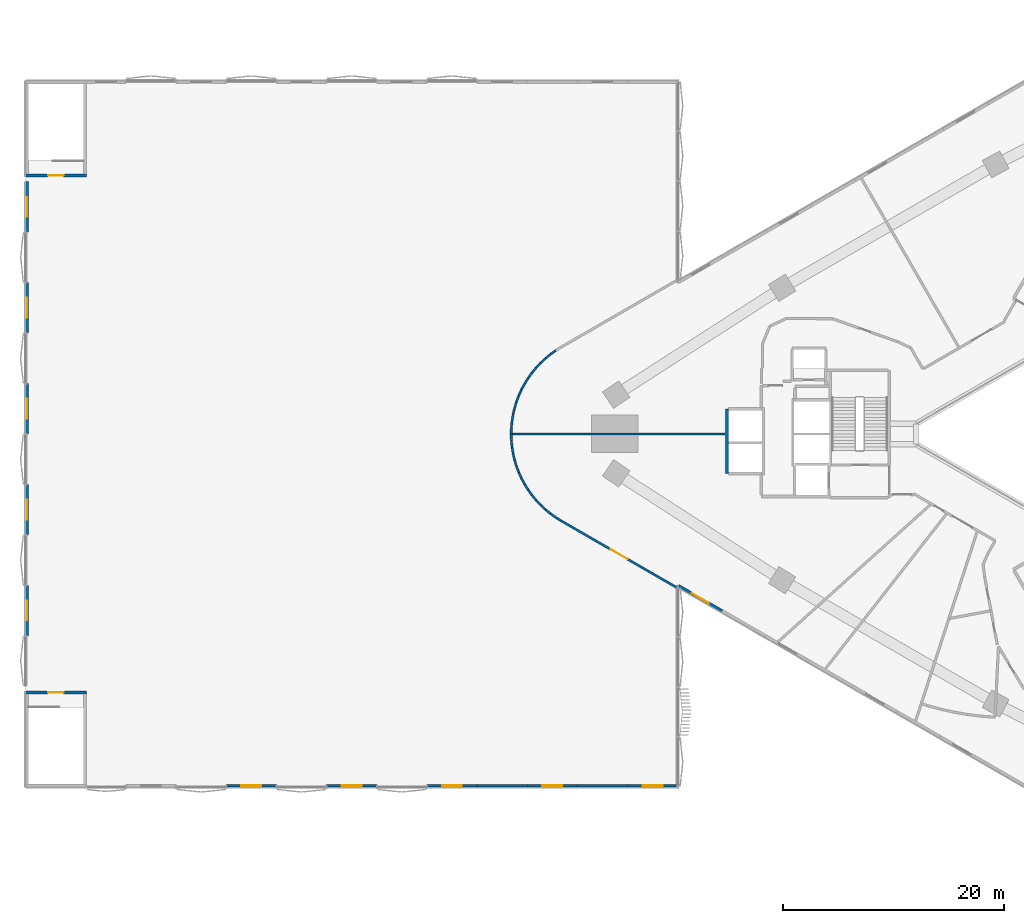
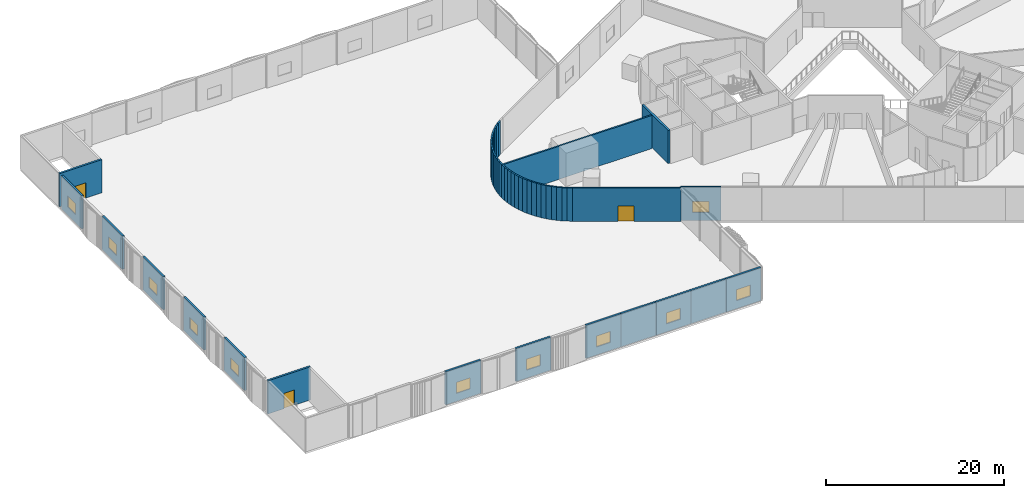
# One storey, part 11 of 24: 49 walls, 11 windows, 3 doors, 14 openings.
"""IFC4 building model written with IfcOpenShell, lengths in metres."""

from ifc_helpers import new_model, si_unit, direction, frame, frame_2d, origin, place, context, subcontext, project, spatial, rectangle, extrude, material, layer, layer_set, type_object, element, fill, save


model = new_model("IFC4")

# Units and contexts
model_context = context("Model", 3, precision=1e-05, world=origin(), true_north=direction((0.0, 1.0)))
body_context = subcontext(model_context, "Body", "Model", "MODEL_VIEW")
ifc_project = project(units=[si_unit("LENGTHUNIT", "METRE"), si_unit("AREAUNIT", "SQUARE_METRE"), si_unit("VOLUMEUNIT", "CUBIC_METRE"), si_unit("PLANEANGLEUNIT", "RADIAN"), si_unit("MASSUNIT", "GRAM", prefix="KILO")], contexts=[model_context])

# Site, building, storey
site_placement = place(None, origin())
site = spatial("IfcSite", under=ifc_project, at=site_placement, CompositionType="ELEMENT")
building_placement = place(site_placement, origin())
building = spatial("IfcBuilding", under=site, at=building_placement, Name="Tamra Quay Hotel Tower", CompositionType="ELEMENT")
storey_placement = place(building_placement, frame((0.0, 0.0, 19.5)))
storey = spatial("IfcBuildingStorey", under=building, at=storey_placement, Name="L03", CompositionType="ELEMENT", Elevation=19.5)

# Wall, opening, door
ifc_material_1 = material(Name="Concrete M70", Category="concrete")
ifc_layer_1 = layer(ifc_material_1, 0.199951171875)
ifc_layer_set_1 = layer_set([ifc_layer_1], Name="Concrete M70 core wall 200")
wall_type_1 = type_object("IfcWallType", Name="Concrete M70 core wall 200", PredefinedType="SHEAR", material=ifc_layer_set_1)
wall_1_placement = place(storey_placement, frame((-89.10009765625, 23.425048828125, 0.0), z_axis=(0.0, 0.0, 1.0), x_axis=(1.0, 0.0, 0.0)))
wall_1 = element("IfcWall", 1, at=wall_1_placement, inside=storey, type_object=wall_type_1, Name="CW2", PredefinedType="SHEAR", context=body_context, shape_type="SweptSolid", body=[
    extrude(rectangle(XDim=5.5, YDim=0.25, at=frame_2d((2.75, 0.0))), origin(), (0.0, 0.0, 1.0), 4.550048828125),
])
opening_1_placement = place(wall_1_placement, frame((2.050048828125, 0.0, 0.0)))
opening_1 = element("IfcOpeningElement", 2, at=opening_1_placement, cuts=wall_1, Name="Opening FD2", PredefinedType="OPENING", context=body_context, shape_type="SweptSolid", body=[
    extrude(rectangle(XDim=1.39990234375, YDim=2.10009765625, at=frame_2d((0.699951171875, 1.050048828125))), frame((0.0, 0.135009765625, 0.0), z_axis=(0.0, -1.0, 0.0), x_axis=(1.0, 0.0, 0.0)), (0.0, 0.0, 1.0), 0.27001953125),
])
ifc_material_2 = material(Name="Core door FD2 1400x2100 RH")
door_type_1 = type_object("IfcDoorType", Name="Core door FD2 1400x2100 RH", OperationType="NOTDEFINED", PredefinedType="DOOR", material=ifc_material_2)
door_1_placement = place(opening_1_placement, origin())
door_1 = element("IfcDoor", 3, at=door_1_placement, inside=storey, type_object=door_type_1, Name="FD2", OperationType="SINGLE_SWING_RIGHT", OverallHeight=2.10009765625, OverallWidth=1.39990234375, PredefinedType="DOOR", context=body_context, shape_type="SweptSolid", body=[
    extrude(rectangle(XDim=1.39990234375, YDim=2.10009765625, at=frame_2d((0.699951171875, 1.050048828125))), frame((0.0, 0.02490234375, 0.0), z_axis=(0.0, -1.0, 0.0), x_axis=(1.0, 0.0, 0.0)), (0.0, 0.0, 1.0), 0.050048828125),
])
fill(opening_1, door_1)

wall_2_placement = place(storey_placement, frame((-89.10009765625, -23.425048828125, 0.0), z_axis=(0.0, 0.0, 1.0), x_axis=(1.0, 0.0, 0.0)))
wall_2 = element("IfcWall", 4, at=wall_2_placement, inside=storey, type_object=wall_type_1, Name="CW2", PredefinedType="SHEAR", context=body_context, shape_type="SweptSolid", body=[
    extrude(rectangle(XDim=5.5, YDim=0.25, at=frame_2d((2.75, 0.0))), origin(), (0.0, 0.0, 1.0), 4.550048828125),
])
opening_2_placement = place(wall_2_placement, frame((2.050048828125, 0.0, 0.0)))
opening_2 = element("IfcOpeningElement", 5, at=opening_2_placement, cuts=wall_2, Name="Opening FD2", PredefinedType="OPENING", context=body_context, shape_type="SweptSolid", body=[
    extrude(rectangle(XDim=1.39990234375, YDim=2.10009765625, at=frame_2d((0.699951171875, 1.050048828125))), frame((0.0, 0.135009765625, 0.0), z_axis=(0.0, -1.0, 0.0), x_axis=(1.0, 0.0, 0.0)), (0.0, 0.0, 1.0), 0.27001953125),
])
ifc_material_3 = material(Name="Core door FD2 1400x2100 LH")
door_type_2 = type_object("IfcDoorType", Name="Core door FD2 1400x2100 LH", OperationType="NOTDEFINED", PredefinedType="DOOR", material=ifc_material_3)
door_2_placement = place(opening_2_placement, origin())
door_2 = element("IfcDoor", 6, at=door_2_placement, inside=storey, type_object=door_type_2, Name="FD2", OperationType="SINGLE_SWING_LEFT", OverallHeight=2.10009765625, OverallWidth=1.39990234375, PredefinedType="DOOR", context=body_context, shape_type="SweptSolid", body=[
    extrude(rectangle(XDim=1.39990234375, YDim=2.10009765625, at=frame_2d((0.699951171875, 1.050048828125))), frame((0.0, 0.02490234375, 0.0), z_axis=(0.0, -1.0, 0.0), x_axis=(1.0, 0.0, 0.0)), (0.0, 0.0, 1.0), 0.050048828125),
])
fill(opening_2, door_2)

# Wall
ifc_layer_2 = layer(ifc_material_1, 0.25)
ifc_layer_set_2 = layer_set([ifc_layer_2], Name="Concrete M70 core wall 250")
wall_type_2 = type_object("IfcWallType", Name="Concrete M70 core wall 250", PredefinedType="SHEAR", material=ifc_layer_set_2)
wall_3_placement = place(storey_placement, frame((-25.537353515625, -3.574951171875, 0.0), z_axis=(0.0, 0.0, 1.0), x_axis=(0.0, 1.0, 0.0)))
element("IfcWall", 7, at=wall_3_placement, inside=storey, type_object=wall_type_2, Name="CW1", PredefinedType="SHEAR", context=body_context, shape_type="SweptSolid", body=[
    extrude(rectangle(XDim=5.849853515625, YDim=0.25, at=frame_2d((2.9248046875, 0.0))), origin(), (0.0, 0.0, 1.0), 4.550048828125),
])

# Wall, opening, window
ifc_material_4 = material(Name="Blockwork masonry plastered", Category="masonry")
ifc_layer_3 = layer(ifc_material_4, 0.25)
ifc_layer_set_3 = layer_set([ifc_layer_3], Name="EXTERNAL WALL 250")
wall_type_3 = type_object("IfcWallType", Name="EXTERNAL WALL 250", PredefinedType="SOLIDWALL", material=ifc_layer_set_3)
wall_4_placement = place(storey_placement, frame((-25.98291015625, -16.03125, 0.0), z_axis=(0.0, 0.0, 1.0), x_axis=(-0.866023543838, 0.500003221507, 0.0)))
wall_4 = element("IfcWall", 8, at=wall_4_placement, inside=storey, type_object=wall_type_3, Name="EW1", PredefinedType="SOLIDWALL", context=body_context, shape_type="SweptSolid", body=[
    extrude(rectangle(XDim=4.56640625, YDim=0.25, at=frame_2d((2.283203125, 0.0))), origin(), (0.0, 0.0, 1.0), 4.550048828125),
])
opening_3_placement = place(wall_4_placement, frame((1.383056640625, 0.0, 1.10009765625)))
opening_3 = element("IfcOpeningElement", 9, at=opening_3_placement, cuts=wall_4, Name="Opening PW2", PredefinedType="OPENING", context=body_context, shape_type="SweptSolid", body=[
    extrude(rectangle(XDim=1.800048828125, YDim=1.5, at=frame_2d((0.89990234375, 0.75))), frame((0.0, 0.135009765625, 0.0), z_axis=(0.0, -1.0, 0.0), x_axis=(1.0, 0.0, 0.0)), (0.0, 0.0, 1.0), 0.27001953125),
])
ifc_material_5 = material(Name="Aluminium window with clear glass", Category="aluminium")
window_type = type_object("IfcWindowType", Name="PODIUM WINDOW 1800X1500", PartitioningType="DOUBLE_PANEL_VERTICAL", PredefinedType="WINDOW", material=ifc_material_5)
window_1_placement = place(opening_3_placement, origin())
window_1 = element("IfcWindow", 10, at=window_1_placement, inside=storey, type_object=window_type, Name="PW2", OverallHeight=1.5, OverallWidth=1.800048828125, PartitioningType="SINGLE_PANEL", PredefinedType="WINDOW", context=body_context, shape_type="SweptSolid", body=[
    extrude(rectangle(XDim=1.800048828125, YDim=1.5, at=frame_2d((0.89990234375, 0.75))), frame((0.0, 0.030029296875, 0.0), z_axis=(0.0, -1.0, 0.0), x_axis=(1.0, 0.0, 0.0)), (0.0, 0.0, 1.0), 0.06005859375),
])
fill(opening_3, window_1)

wall_5_placement = place(storey_placement, frame((-88.97509765625, 18.28564453125, 0.0), z_axis=(0.0, 0.0, 1.0), x_axis=(0.0, 1.0, 0.0)))
wall_5 = element("IfcWall", 11, at=wall_5_placement, inside=storey, type_object=wall_type_3, Name="EW1", PredefinedType="SOLIDWALL", context=body_context, shape_type="SweptSolid", body=[
    extrude(rectangle(XDim=4.571533203125, YDim=0.25, at=frame_2d((2.28564453125, 0.0))), origin(), (0.0, 0.0, 1.0), 4.550048828125),
])
opening_4_placement = place(wall_5_placement, frame((1.3857421875, 0.0, 1.10009765625)))
opening_4 = element("IfcOpeningElement", 12, at=opening_4_placement, cuts=wall_5, Name="Opening PW2", PredefinedType="OPENING", context=body_context, shape_type="SweptSolid", body=[
    extrude(rectangle(XDim=1.800048828125, YDim=1.5, at=frame_2d((0.89990234375, 0.75))), frame((0.0, 0.135009765625, 0.0), z_axis=(0.0, -1.0, 0.0), x_axis=(1.0, 0.0, 0.0)), (0.0, 0.0, 1.0), 0.27001953125),
])
window_2_placement = place(opening_4_placement, origin())
window_2 = element("IfcWindow", 13, at=window_2_placement, inside=storey, type_object=window_type, Name="PW2", OverallHeight=1.5, OverallWidth=1.800048828125, PartitioningType="SINGLE_PANEL", PredefinedType="WINDOW", context=body_context, shape_type="SweptSolid", body=[
    extrude(rectangle(XDim=1.800048828125, YDim=1.5, at=frame_2d((0.89990234375, 0.75))), frame((0.0, 0.030029296875, 0.0), z_axis=(0.0, -1.0, 0.0), x_axis=(1.0, 0.0, 0.0)), (0.0, 0.0, 1.0), 0.06005859375),
])
fill(opening_4, window_2)

wall_6_placement = place(storey_placement, frame((-88.97509765625, 9.142822265625, 0.0), z_axis=(0.0, 0.0, 1.0), x_axis=(0.0, 1.0, 0.0)))
wall_6 = element("IfcWall", 14, at=wall_6_placement, inside=storey, type_object=wall_type_3, Name="EW1", PredefinedType="SOLIDWALL", context=body_context, shape_type="SweptSolid", body=[
    extrude(rectangle(XDim=4.571533203125, YDim=0.25, at=frame_2d((2.28564453125, 0.0))), origin(), (0.0, 0.0, 1.0), 4.550048828125),
])
opening_5_placement = place(wall_6_placement, frame((1.3857421875, 0.0, 1.10009765625)))
opening_5 = element("IfcOpeningElement", 15, at=opening_5_placement, cuts=wall_6, Name="Opening PW2", PredefinedType="OPENING", context=body_context, shape_type="SweptSolid", body=[
    extrude(rectangle(XDim=1.800048828125, YDim=1.5, at=frame_2d((0.89990234375, 0.75))), frame((0.0, 0.135009765625, 0.0), z_axis=(0.0, -1.0, 0.0), x_axis=(1.0, 0.0, 0.0)), (0.0, 0.0, 1.0), 0.27001953125),
])
window_3_placement = place(opening_5_placement, origin())
window_3 = element("IfcWindow", 16, at=window_3_placement, inside=storey, type_object=window_type, Name="PW2", OverallHeight=1.5, OverallWidth=1.800048828125, PartitioningType="SINGLE_PANEL", PredefinedType="WINDOW", context=body_context, shape_type="SweptSolid", body=[
    extrude(rectangle(XDim=1.800048828125, YDim=1.5, at=frame_2d((0.89990234375, 0.75))), frame((0.0, 0.030029296875, 0.0), z_axis=(0.0, -1.0, 0.0), x_axis=(1.0, 0.0, 0.0)), (0.0, 0.0, 1.0), 0.06005859375),
])
fill(opening_5, window_3)

wall_7_placement = place(storey_placement, frame((-88.97509765625, 0.0, 0.0), z_axis=(0.0, 0.0, 1.0), x_axis=(0.0, 1.0, 0.0)))
wall_7 = element("IfcWall", 17, at=wall_7_placement, inside=storey, type_object=wall_type_3, Name="EW1", PredefinedType="SOLIDWALL", context=body_context, shape_type="SweptSolid", body=[
    extrude(rectangle(XDim=4.571533203125, YDim=0.25, at=frame_2d((2.28564453125, 0.0))), origin(), (0.0, 0.0, 1.0), 4.550048828125),
])
opening_6_placement = place(wall_7_placement, frame((1.3857421875, 0.0, 1.10009765625)))
opening_6 = element("IfcOpeningElement", 18, at=opening_6_placement, cuts=wall_7, Name="Opening PW2", PredefinedType="OPENING", context=body_context, shape_type="SweptSolid", body=[
    extrude(rectangle(XDim=1.800048828125, YDim=1.5, at=frame_2d((0.89990234375, 0.75))), frame((0.0, 0.135009765625, 0.0), z_axis=(0.0, -1.0, 0.0), x_axis=(1.0, 0.0, 0.0)), (0.0, 0.0, 1.0), 0.27001953125),
])
window_4_placement = place(opening_6_placement, origin())
window_4 = element("IfcWindow", 19, at=window_4_placement, inside=storey, type_object=window_type, Name="PW2", OverallHeight=1.5, OverallWidth=1.800048828125, PartitioningType="SINGLE_PANEL", PredefinedType="WINDOW", context=body_context, shape_type="SweptSolid", body=[
    extrude(rectangle(XDim=1.800048828125, YDim=1.5, at=frame_2d((0.89990234375, 0.75))), frame((0.0, 0.030029296875, 0.0), z_axis=(0.0, -1.0, 0.0), x_axis=(1.0, 0.0, 0.0)), (0.0, 0.0, 1.0), 0.06005859375),
])
fill(opening_6, window_4)

wall_8_placement = place(storey_placement, frame((-88.97509765625, -9.142822265625, 0.0), z_axis=(0.0, 0.0, 1.0), x_axis=(0.0, 1.0, 0.0)))
wall_8 = element("IfcWall", 20, at=wall_8_placement, inside=storey, type_object=wall_type_3, Name="EW1", PredefinedType="SOLIDWALL", context=body_context, shape_type="SweptSolid", body=[
    extrude(rectangle(XDim=4.5712890625, YDim=0.25, at=frame_2d((2.28564453125, 0.0))), origin(), (0.0, 0.0, 1.0), 4.550048828125),
])
opening_7_placement = place(wall_8_placement, frame((1.3857421875, 0.0, 1.10009765625)))
opening_7 = element("IfcOpeningElement", 21, at=opening_7_placement, cuts=wall_8, Name="Opening PW2", PredefinedType="OPENING", context=body_context, shape_type="SweptSolid", body=[
    extrude(rectangle(XDim=1.800048828125, YDim=1.5, at=frame_2d((0.89990234375, 0.75))), frame((0.0, 0.135009765625, 0.0), z_axis=(0.0, -1.0, 0.0), x_axis=(1.0, 0.0, 0.0)), (0.0, 0.0, 1.0), 0.27001953125),
])
window_5_placement = place(opening_7_placement, origin())
window_5 = element("IfcWindow", 22, at=window_5_placement, inside=storey, type_object=window_type, Name="PW2", OverallHeight=1.5, OverallWidth=1.800048828125, PartitioningType="SINGLE_PANEL", PredefinedType="WINDOW", context=body_context, shape_type="SweptSolid", body=[
    extrude(rectangle(XDim=1.800048828125, YDim=1.5, at=frame_2d((0.89990234375, 0.75))), frame((0.0, 0.030029296875, 0.0), z_axis=(0.0, -1.0, 0.0), x_axis=(1.0, 0.0, 0.0)), (0.0, 0.0, 1.0), 0.06005859375),
])
fill(opening_7, window_5)

wall_9_placement = place(storey_placement, frame((-88.97509765625, -18.28564453125, 0.0), z_axis=(0.0, 0.0, 1.0), x_axis=(0.0, 1.0, 0.0)))
wall_9 = element("IfcWall", 23, at=wall_9_placement, inside=storey, type_object=wall_type_3, Name="EW1", PredefinedType="SOLIDWALL", context=body_context, shape_type="SweptSolid", body=[
    extrude(rectangle(XDim=4.5712890625, YDim=0.25, at=frame_2d((2.28564453125, 0.0))), origin(), (0.0, 0.0, 1.0), 4.550048828125),
])
opening_8_placement = place(wall_9_placement, frame((1.3857421875, 0.0, 1.10009765625)))
opening_8 = element("IfcOpeningElement", 24, at=opening_8_placement, cuts=wall_9, Name="Opening PW2", PredefinedType="OPENING", context=body_context, shape_type="SweptSolid", body=[
    extrude(rectangle(XDim=1.800048828125, YDim=1.5, at=frame_2d((0.89990234375, 0.75))), frame((0.0, 0.135009765625, 0.0), z_axis=(0.0, -1.0, 0.0), x_axis=(1.0, 0.0, 0.0)), (0.0, 0.0, 1.0), 0.27001953125),
])
window_6_placement = place(opening_8_placement, origin())
window_6 = element("IfcWindow", 25, at=window_6_placement, inside=storey, type_object=window_type, Name="PW2", OverallHeight=1.5, OverallWidth=1.800048828125, PartitioningType="SINGLE_PANEL", PredefinedType="WINDOW", context=body_context, shape_type="SweptSolid", body=[
    extrude(rectangle(XDim=1.800048828125, YDim=1.5, at=frame_2d((0.89990234375, 0.75))), frame((0.0, 0.030029296875, 0.0), z_axis=(0.0, -1.0, 0.0), x_axis=(1.0, 0.0, 0.0)), (0.0, 0.0, 1.0), 0.06005859375),
])
fill(opening_8, window_6)

wall_10_placement = place(storey_placement, frame((-66.369140625, -31.875, 0.0), z_axis=(0.0, 0.0, 1.0), x_axis=(-1.0, 0.0, 0.0)))
wall_10 = element("IfcWall", 26, at=wall_10_placement, inside=storey, type_object=wall_type_3, Name="EW1", PredefinedType="SOLIDWALL", context=body_context, shape_type="SweptSolid", body=[
    extrude(rectangle(XDim=4.546142578125, YDim=0.25, at=frame_2d((2.27294921875, 0.0))), origin(), (0.0, 0.0, 1.0), 4.550048828125),
])
opening_9_placement = place(wall_10_placement, frame((1.373046875, 0.0, 1.10009765625)))
opening_9 = element("IfcOpeningElement", 27, at=opening_9_placement, cuts=wall_10, Name="Opening PW2", PredefinedType="OPENING", context=body_context, shape_type="SweptSolid", body=[
    extrude(rectangle(XDim=1.800048828125, YDim=1.5, at=frame_2d((0.89990234375, 0.75))), frame((0.0, 0.135009765625, 0.0), z_axis=(0.0, -1.0, 0.0), x_axis=(1.0, 0.0, 0.0)), (0.0, 0.0, 1.0), 0.27001953125),
])
window_7_placement = place(opening_9_placement, origin())
window_7 = element("IfcWindow", 28, at=window_7_placement, inside=storey, type_object=window_type, Name="PW2", OverallHeight=1.5, OverallWidth=1.800048828125, PartitioningType="SINGLE_PANEL", PredefinedType="WINDOW", context=body_context, shape_type="SweptSolid", body=[
    extrude(rectangle(XDim=1.800048828125, YDim=1.5, at=frame_2d((0.89990234375, 0.75))), frame((0.0, 0.030029296875, 0.0), z_axis=(0.0, -1.0, 0.0), x_axis=(1.0, 0.0, 0.0)), (0.0, 0.0, 1.0), 0.06005859375),
])
fill(opening_9, window_7)

wall_11_placement = place(storey_placement, frame((-57.27685546875, -31.875, 0.0), z_axis=(0.0, 0.0, 1.0), x_axis=(-1.0, 0.0, 0.0)))
wall_11 = element("IfcWall", 29, at=wall_11_placement, inside=storey, type_object=wall_type_3, Name="EW1", PredefinedType="SOLIDWALL", context=body_context, shape_type="SweptSolid", body=[
    extrude(rectangle(XDim=4.546142578125, YDim=0.25, at=frame_2d((2.27294921875, 0.0))), origin(), (0.0, 0.0, 1.0), 4.550048828125),
])
opening_10_placement = place(wall_11_placement, frame((1.373046875, 0.0, 1.10009765625)))
opening_10 = element("IfcOpeningElement", 30, at=opening_10_placement, cuts=wall_11, Name="Opening PW2", PredefinedType="OPENING", context=body_context, shape_type="SweptSolid", body=[
    extrude(rectangle(XDim=1.800048828125, YDim=1.5, at=frame_2d((0.89990234375, 0.75))), frame((0.0, 0.135009765625, 0.0), z_axis=(0.0, -1.0, 0.0), x_axis=(1.0, 0.0, 0.0)), (0.0, 0.0, 1.0), 0.27001953125),
])
window_8_placement = place(opening_10_placement, origin())
window_8 = element("IfcWindow", 31, at=window_8_placement, inside=storey, type_object=window_type, Name="PW2", OverallHeight=1.5, OverallWidth=1.800048828125, PartitioningType="SINGLE_PANEL", PredefinedType="WINDOW", context=body_context, shape_type="SweptSolid", body=[
    extrude(rectangle(XDim=1.800048828125, YDim=1.5, at=frame_2d((0.89990234375, 0.75))), frame((0.0, 0.030029296875, 0.0), z_axis=(0.0, -1.0, 0.0), x_axis=(1.0, 0.0, 0.0)), (0.0, 0.0, 1.0), 0.06005859375),
])
fill(opening_10, window_8)

wall_12_placement = place(storey_placement, frame((-48.1845703125, -31.875, 0.0), z_axis=(0.0, 0.0, 1.0), x_axis=(-1.0, 0.0, 0.0)))
wall_12 = element("IfcWall", 32, at=wall_12_placement, inside=storey, type_object=wall_type_3, Name="EW1", PredefinedType="SOLIDWALL", context=body_context, shape_type="SweptSolid", body=[
    extrude(rectangle(XDim=4.546142578125, YDim=0.25, at=frame_2d((2.27294921875, 0.0))), origin(), (0.0, 0.0, 1.0), 4.550048828125),
])
opening_11_placement = place(wall_12_placement, frame((1.373046875, 0.0, 1.10009765625)))
opening_11 = element("IfcOpeningElement", 33, at=opening_11_placement, cuts=wall_12, Name="Opening PW2", PredefinedType="OPENING", context=body_context, shape_type="SweptSolid", body=[
    extrude(rectangle(XDim=1.800048828125, YDim=1.5, at=frame_2d((0.89990234375, 0.75))), frame((0.0, 0.135009765625, 0.0), z_axis=(0.0, -1.0, 0.0), x_axis=(1.0, 0.0, 0.0)), (0.0, 0.0, 1.0), 0.27001953125),
])
window_9_placement = place(opening_11_placement, origin())
window_9 = element("IfcWindow", 34, at=window_9_placement, inside=storey, type_object=window_type, Name="PW2", OverallHeight=1.5, OverallWidth=1.800048828125, PartitioningType="SINGLE_PANEL", PredefinedType="WINDOW", context=body_context, shape_type="SweptSolid", body=[
    extrude(rectangle(XDim=1.800048828125, YDim=1.5, at=frame_2d((0.89990234375, 0.75))), frame((0.0, 0.030029296875, 0.0), z_axis=(0.0, -1.0, 0.0), x_axis=(1.0, 0.0, 0.0)), (0.0, 0.0, 1.0), 0.06005859375),
])
fill(opening_11, window_9)

# Wall
wall_13_placement = place(storey_placement, frame((-43.638427734375, -31.875, 0.0), z_axis=(0.0, 0.0, 1.0), x_axis=(-1.0, 0.0, 0.0)))
element("IfcWall", 35, at=wall_13_placement, inside=storey, type_object=wall_type_3, Name="EW1", PredefinedType="SOLIDWALL", context=body_context, shape_type="SweptSolid", body=[
    extrude(rectangle(XDim=4.546142578125, YDim=0.25, at=frame_2d((2.27294921875, 0.0))), origin(), (0.0, 0.0, 1.0), 4.550048828125),
])

# Wall, opening, window
wall_14_placement = place(storey_placement, frame((-39.09228515625, -31.875, 0.0), z_axis=(0.0, 0.0, 1.0), x_axis=(-1.0, 0.0, 0.0)))
wall_14 = element("IfcWall", 36, at=wall_14_placement, inside=storey, type_object=wall_type_3, Name="EW1", PredefinedType="SOLIDWALL", context=body_context, shape_type="SweptSolid", body=[
    extrude(rectangle(XDim=4.546142578125, YDim=0.25, at=frame_2d((2.27294921875, 0.0))), origin(), (0.0, 0.0, 1.0), 4.550048828125),
])
opening_12_placement = place(wall_14_placement, frame((1.373046875, 0.0, 1.10009765625)))
opening_12 = element("IfcOpeningElement", 37, at=opening_12_placement, cuts=wall_14, Name="Opening PW2", PredefinedType="OPENING", context=body_context, shape_type="SweptSolid", body=[
    extrude(rectangle(XDim=1.800048828125, YDim=1.5, at=frame_2d((0.89990234375, 0.75))), frame((0.0, 0.135009765625, 0.0), z_axis=(0.0, -1.0, 0.0), x_axis=(1.0, 0.0, 0.0)), (0.0, 0.0, 1.0), 0.27001953125),
])
window_10_placement = place(opening_12_placement, origin())
window_10 = element("IfcWindow", 38, at=window_10_placement, inside=storey, type_object=window_type, Name="PW2", OverallHeight=1.5, OverallWidth=1.800048828125, PartitioningType="SINGLE_PANEL", PredefinedType="WINDOW", context=body_context, shape_type="SweptSolid", body=[
    extrude(rectangle(XDim=1.800048828125, YDim=1.5, at=frame_2d((0.89990234375, 0.75))), frame((0.0, 0.030029296875, 0.0), z_axis=(0.0, -1.0, 0.0), x_axis=(1.0, 0.0, 0.0)), (0.0, 0.0, 1.0), 0.06005859375),
])
fill(opening_12, window_10)

# Wall
wall_15_placement = place(storey_placement, frame((-34.546142578125, -31.875, 0.0), z_axis=(0.0, 0.0, 1.0), x_axis=(-1.0, 0.0, 0.0)))
element("IfcWall", 39, at=wall_15_placement, inside=storey, type_object=wall_type_3, Name="EW1", PredefinedType="SOLIDWALL", context=body_context, shape_type="SweptSolid", body=[
    extrude(rectangle(XDim=4.546142578125, YDim=0.25, at=frame_2d((2.27294921875, 0.0))), origin(), (0.0, 0.0, 1.0), 4.550048828125),
])

# Wall, opening, window
wall_16_placement = place(storey_placement, frame((-30.0, -31.875, 0.0), z_axis=(0.0, 0.0, 1.0), x_axis=(-1.0, 0.0, 0.0)))
wall_16 = element("IfcWall", 40, at=wall_16_placement, inside=storey, type_object=wall_type_3, Name="EW1", PredefinedType="SOLIDWALL", context=body_context, shape_type="SweptSolid", body=[
    extrude(rectangle(XDim=4.546142578125, YDim=0.25, at=frame_2d((2.27294921875, 0.0))), origin(), (0.0, 0.0, 1.0), 4.550048828125),
])
opening_13_placement = place(wall_16_placement, frame((1.373046875, 0.0, 1.10009765625)))
opening_13 = element("IfcOpeningElement", 41, at=opening_13_placement, cuts=wall_16, Name="Opening PW2", PredefinedType="OPENING", context=body_context, shape_type="SweptSolid", body=[
    extrude(rectangle(XDim=1.800048828125, YDim=1.5, at=frame_2d((0.89990234375, 0.75))), frame((0.0, 0.135009765625, 0.0), z_axis=(0.0, -1.0, 0.0), x_axis=(1.0, 0.0, 0.0)), (0.0, 0.0, 1.0), 0.27001953125),
])
window_11_placement = place(opening_13_placement, origin())
window_11 = element("IfcWindow", 42, at=window_11_placement, inside=storey, type_object=window_type, Name="PW2", OverallHeight=1.5, OverallWidth=1.800048828125, PartitioningType="SINGLE_PANEL", PredefinedType="WINDOW", context=body_context, shape_type="SweptSolid", body=[
    extrude(rectangle(XDim=1.800048828125, YDim=1.5, at=frame_2d((0.89990234375, 0.75))), frame((0.0, 0.030029296875, 0.0), z_axis=(0.0, -1.0, 0.0), x_axis=(1.0, 0.0, 0.0)), (0.0, 0.0, 1.0), 0.06005859375),
])
fill(opening_13, window_11)

# Walls
ifc_material_6 = material(Name="Partition party wall")
ifc_layer_4 = layer(ifc_material_6, 0.199951171875)
ifc_layer_set_4 = layer_set([ifc_layer_4], Name="Partition party wall")
wall_type_4 = type_object("IfcWallType", Name="Partition party wall", PredefinedType="PARTITIONING", material=ifc_layer_set_4)
for number, where, z_axis, x_axis, name in (
    (43, (-45.10009765625, 0.0, 0.0), (0.0, 0.0, 1.0), (0.031990183948, 0.999488183087, 0.0), "W-P"),
    (44, (-45.10009765625, 0.0, 0.0), (0.0, 0.0, 1.0), (0.031990183948, -0.999488183087, 0.0), "W-P"),
):
    element("IfcWall", number, at=place(storey_placement, frame(where, z_axis=z_axis, x_axis=x_axis)), inside=storey, type_object=wall_type_4, Name=name, PredefinedType="PARTITIONING", context=body_context, shape_type="SweptSolid", body=[
        extrude(rectangle(XDim=0.59521484375, YDim=0.199951171875, at=frame_2d((0.297607421875, 0.0))), origin(), (0.0, 0.0, 1.0), 4.550048828125),
    ])
wall_17_placement = place(storey_placement, frame((-45.097900390625, 0.0, 0.0), z_axis=(0.0, 0.0, 1.0), x_axis=(1.0, 0.0, 0.0)))
element("IfcWall", 45, at=wall_17_placement, inside=storey, type_object=wall_type_4, Name="W-P", PredefinedType="PARTITIONING", context=body_context, shape_type="SweptSolid", body=[
    extrude(rectangle(XDim=19.375732421875, YDim=0.199951171875, at=frame_2d((9.68798828125, 0.0))), origin(), (0.0, 0.0, 1.0), 4.550048828125),
])
for number, where, z_axis, x_axis, name in (
    (46, (-45.0810546875, -0.594970703125, 0.0), (0.0, 0.0, 1.0), (0.09913866528, -0.995073627952, 0.0), "W-P"),
    (47, (-45.0810546875, 0.594970703125, 0.0), (0.0, 0.0, 1.0), (0.09913866528, 0.995073627952, 0.0), "W-P"),
):
    element("IfcWall", number, at=place(storey_placement, frame(where, z_axis=z_axis, x_axis=x_axis)), inside=storey, type_object=wall_type_4, Name=name, PredefinedType="PARTITIONING", context=body_context, shape_type="SweptSolid", body=[
        extrude(rectangle(XDim=0.595947265625, YDim=0.199951171875, at=frame_2d((0.2978515625, 0.0))), origin(), (0.0, 0.0, 1.0), 4.550048828125),
    ])
for number, where, z_axis, x_axis, name in (
    (48, (-45.02197265625, -1.18798828125, 0.0), (0.0, 0.0, 1.0), (0.162934624121, -0.986636867476, 0.0), "W-P"),
    (49, (-45.02197265625, 1.18798828125, 0.0), (0.0, 0.0, 1.0), (0.162934624121, 0.986636867476, 0.0), "W-P"),
):
    element("IfcWall", number, at=place(storey_placement, frame(where, z_axis=z_axis, x_axis=x_axis)), inside=storey, type_object=wall_type_4, Name=name, PredefinedType="PARTITIONING", context=body_context, shape_type="SweptSolid", body=[
        extrude(rectangle(XDim=0.594970703125, YDim=0.199951171875, at=frame_2d((0.29736328125, 0.0))), origin(), (0.0, 0.0, 1.0), 4.550048828125),
    ])
for number, where, z_axis, x_axis, name in (
    (50, (-44.925048828125, -1.77490234375, 0.0), (0.0, 0.0, 1.0), (0.226685324895, -0.973968050542, 0.0), "W-P"),
    (51, (-44.925048828125, 1.77490234375, 0.0), (0.0, 0.0, 1.0), (0.226685324895, 0.973968050542, 0.0), "W-P"),
    (52, (-44.7900390625, -2.35498046875, 0.0), (0.0, 0.0, 1.0), (0.290541905156, -0.956862268745, 0.0), "W-P"),
    (53, (-44.7900390625, 2.35498046875, 0.0), (0.0, 0.0, 1.0), (0.290541905156, 0.956862268745, 0.0), "W-P"),
):
    element("IfcWall", number, at=place(storey_placement, frame(where, z_axis=z_axis, x_axis=x_axis)), inside=storey, type_object=wall_type_4, Name=name, PredefinedType="PARTITIONING", context=body_context, shape_type="SweptSolid", body=[
        extrude(rectangle(XDim=0.595703125, YDim=0.199951171875, at=frame_2d((0.2978515625, 0.0))), origin(), (0.0, 0.0, 1.0), 4.550048828125),
    ])
for number, where, z_axis, x_axis, name in (
    (54, (-44.616943359375, -2.925048828125, 0.0), (0.0, 0.0, 1.0), (0.352786231365, -0.935703946213, 0.0), "W-P"),
    (55, (-44.616943359375, 2.925048828125, 0.0), (0.0, 0.0, 1.0), (0.352786231365, 0.935703946213, 0.0), "W-P"),
):
    element("IfcWall", number, at=place(storey_placement, frame(where, z_axis=z_axis, x_axis=x_axis)), inside=storey, type_object=wall_type_4, Name=name, PredefinedType="PARTITIONING", context=body_context, shape_type="SweptSolid", body=[
        extrude(rectangle(XDim=0.59521484375, YDim=0.199951171875, at=frame_2d((0.297607421875, 0.0))), origin(), (0.0, 0.0, 1.0), 4.550048828125),
    ])
for number, where, z_axis, x_axis, name in (
    (56, (-44.406982421875, -3.48193359375, 0.0), (0.0, 0.0, 1.0), (0.41111443173, -0.911583744932, 0.0), "W-P"),
    (57, (-44.406982421875, 3.48193359375, 0.0), (0.0, 0.0, 1.0), (0.41111443173, 0.911583744932, 0.0), "W-P"),
    (58, (-44.162109375, -4.02490234375, 0.0), (0.0, 0.0, 1.0), (0.471800485124, -0.881705337534, 0.0), "W-P"),
    (59, (-44.162109375, 4.02490234375, 0.0), (0.0, 0.0, 1.0), (0.471800485124, 0.881705337534, 0.0), "W-P"),
):
    element("IfcWall", number, at=place(storey_placement, frame(where, z_axis=z_axis, x_axis=x_axis)), inside=storey, type_object=wall_type_4, Name=name, PredefinedType="PARTITIONING", context=body_context, shape_type="SweptSolid", body=[
        extrude(rectangle(XDim=0.595703125, YDim=0.199951171875, at=frame_2d((0.2978515625, 0.0))), origin(), (0.0, 0.0, 1.0), 4.550048828125),
    ])
for number, where, z_axis, x_axis, name in (
    (60, (-43.881103515625, -4.550048828125, 0.0), (0.0, 0.0, 1.0), (0.528820193884, -0.848733882051, 0.0), "W-P"),
    (61, (-43.881103515625, 4.550048828125, 0.0), (0.0, 0.0, 1.0), (0.528820193884, 0.848733882051, 0.0), "W-P"),
):
    element("IfcWall", number, at=place(storey_placement, frame(where, z_axis=z_axis, x_axis=x_axis)), inside=storey, type_object=wall_type_4, Name=name, PredefinedType="PARTITIONING", context=body_context, shape_type="SweptSolid", body=[
        extrude(rectangle(XDim=0.595947265625, YDim=0.199951171875, at=frame_2d((0.2978515625, 0.0))), origin(), (0.0, 0.0, 1.0), 4.550048828125),
    ])
for number, where, z_axis, x_axis, name in (
    (62, (-43.56591796875, -5.055908203125, 0.0), (0.0, 0.0, 1.0), (0.581393431344, -0.813622564824, 0.0), "W-P"),
    (63, (-43.56591796875, 5.055908203125, 0.0), (0.0, 0.0, 1.0), (0.581393431344, 0.813622564824, 0.0), "W-P"),
):
    element("IfcWall", number, at=place(storey_placement, frame(where, z_axis=z_axis, x_axis=x_axis)), inside=storey, type_object=wall_type_4, Name=name, PredefinedType="PARTITIONING", context=body_context, shape_type="SweptSolid", body=[
        extrude(rectangle(XDim=0.594970703125, YDim=0.199951171875, at=frame_2d((0.29736328125, 0.0))), origin(), (0.0, 0.0, 1.0), 4.550048828125),
    ])
for number, where, z_axis, x_axis, name in (
    (64, (-43.219970703125, -5.5400390625, 0.0), (0.0, 0.0, 1.0), (0.634844364708, -0.772640040768, 0.0), "W-P"),
    (65, (-43.219970703125, 5.5400390625, 0.0), (0.0, 0.0, 1.0), (0.634844364708, 0.772640040768, 0.0), "W-P"),
):
    element("IfcWall", number, at=place(storey_placement, frame(where, z_axis=z_axis, x_axis=x_axis)), inside=storey, type_object=wall_type_4, Name=name, PredefinedType="PARTITIONING", context=body_context, shape_type="SweptSolid", body=[
        extrude(rectangle(XDim=0.59521484375, YDim=0.199951171875, at=frame_2d((0.297607421875, 0.0))), origin(), (0.0, 0.0, 1.0), 4.550048828125),
    ])
for number, where, z_axis, x_axis, name in (
    (66, (-42.842041015625, -6.0, 0.0), (0.0, 0.0, 1.0), (0.683150078771, -0.730278008621, 0.0), "W-P"),
    (67, (-42.842041015625, 6.0, 0.0), (0.0, 0.0, 1.0), (0.683150078771, 0.730278008621, 0.0), "W-P"),
    (68, (-42.43505859375, -6.43505859375, 0.0), (0.0, 0.0, 1.0), (0.730278008621, -0.683150078771, 0.0), "W-P"),
    (69, (-42.43505859375, 6.43505859375, 0.0), (0.0, 0.0, 1.0), (0.730278008621, 0.683150078771, 0.0), "W-P"),
):
    element("IfcWall", number, at=place(storey_placement, frame(where, z_axis=z_axis, x_axis=x_axis)), inside=storey, type_object=wall_type_4, Name=name, PredefinedType="PARTITIONING", context=body_context, shape_type="SweptSolid", body=[
        extrude(rectangle(XDim=0.595703125, YDim=0.199951171875, at=frame_2d((0.2978515625, 0.0))), origin(), (0.0, 0.0, 1.0), 4.550048828125),
    ])
for number, where, z_axis, x_axis, name in (
    (70, (-42.0, -6.842041015625, 0.0), (0.0, 0.0, 1.0), (0.772640040768, -0.634844364708, 0.0), "W-P"),
    (71, (-42.0, 6.842041015625, 0.0), (0.0, 0.0, 1.0), (0.772640040768, 0.634844364708, 0.0), "W-P"),
):
    element("IfcWall", number, at=place(storey_placement, frame(where, z_axis=z_axis, x_axis=x_axis)), inside=storey, type_object=wall_type_4, Name=name, PredefinedType="PARTITIONING", context=body_context, shape_type="SweptSolid", body=[
        extrude(rectangle(XDim=0.59521484375, YDim=0.199951171875, at=frame_2d((0.297607421875, 0.0))), origin(), (0.0, 0.0, 1.0), 4.550048828125),
    ])
for number, where, z_axis, x_axis, name in (
    (72, (-41.5400390625, -7.219970703125, 0.0), (0.0, 0.0, 1.0), (0.813622564824, -0.581393431344, 0.0), "W-P"),
    (73, (-41.5400390625, 7.219970703125, 0.0), (0.0, 0.0, 1.0), (0.813622564824, 0.581393431344, 0.0), "W-P"),
):
    element("IfcWall", number, at=place(storey_placement, frame(where, z_axis=z_axis, x_axis=x_axis)), inside=storey, type_object=wall_type_4, Name=name, PredefinedType="PARTITIONING", context=body_context, shape_type="SweptSolid", body=[
        extrude(rectangle(XDim=0.594970703125, YDim=0.199951171875, at=frame_2d((0.29736328125, 0.0))), origin(), (0.0, 0.0, 1.0), 4.550048828125),
    ])
wall_18_placement = place(storey_placement, frame((-41.055908203125, -7.56591796875, 0.0), z_axis=(0.0, 0.0, 1.0), x_axis=(0.849195743306, -0.52807820401, 0.0)))
element("IfcWall", 74, at=wall_18_placement, inside=storey, type_object=wall_type_4, Name="W-P", PredefinedType="PARTITIONING", context=body_context, shape_type="SweptSolid", body=[
    extrude(rectangle(XDim=0.594482421875, YDim=0.199951171875, at=frame_2d((0.29736328125, 0.0))), origin(), (0.0, 0.0, 1.0), 4.550048828125),
])

# Wall, opening, door
wall_19_placement = place(storey_placement, frame((-40.551025390625, -7.8798828125, 0.0), z_axis=(0.0, 0.0, 1.0), x_axis=(0.866016326085, -0.500015722707, 0.0)))
wall_19 = element("IfcWall", 75, at=wall_19_placement, inside=storey, type_object=wall_type_4, Name="W-P", PredefinedType="PARTITIONING", context=body_context, shape_type="SweptSolid", body=[
    extrude(rectangle(XDim=12.17822265625, YDim=0.199951171875, at=frame_2d((6.089111328125, 0.0))), origin(), (0.0, 0.0, 1.0), 4.550048828125),
])
opening_14_placement = place(wall_19_placement, frame((5.1337890625, 0.0, 0.0)))
opening_14 = element("IfcOpeningElement", 76, at=opening_14_placement, cuts=wall_19, Name="Opening L03-D001", PredefinedType="OPENING", context=body_context, shape_type="SweptSolid", body=[
    extrude(rectangle(XDim=1.800048828125, YDim=2.10009765625, at=frame_2d((0.89990234375, 1.050048828125))), frame((0.0, 0.10986328125, 0.0), z_axis=(0.0, -1.0, 0.0), x_axis=(1.0, 0.0, 0.0)), (0.0, 0.0, 1.0), 0.219970703125),
])
ifc_material_7 = material(Name="Door double leaf 1800x2100")
door_type_3 = type_object("IfcDoorType", Name="Door double leaf 1800x2100", OperationType="DOUBLE_DOOR_SINGLE_SWING", PredefinedType="DOOR", material=ifc_material_7)
door_3_placement = place(opening_14_placement, origin())
door_3 = element("IfcDoor", 77, at=door_3_placement, inside=storey, type_object=door_type_3, Name="L03-D001", OperationType="DOUBLE_DOOR_SINGLE_SWING", OverallHeight=2.10009765625, OverallWidth=1.800048828125, PredefinedType="DOOR", context=body_context, shape_type="SweptSolid", body=[
    extrude(rectangle(XDim=1.800048828125, YDim=2.10009765625, at=frame_2d((0.89990234375, 1.050048828125))), frame((0.0, 0.02490234375, 0.0), z_axis=(0.0, -1.0, 0.0), x_axis=(1.0, 0.0, 0.0)), (0.0, 0.0, 1.0), 0.050048828125),
])
fill(opening_14, door_3)

save(model, "model.ifc")
